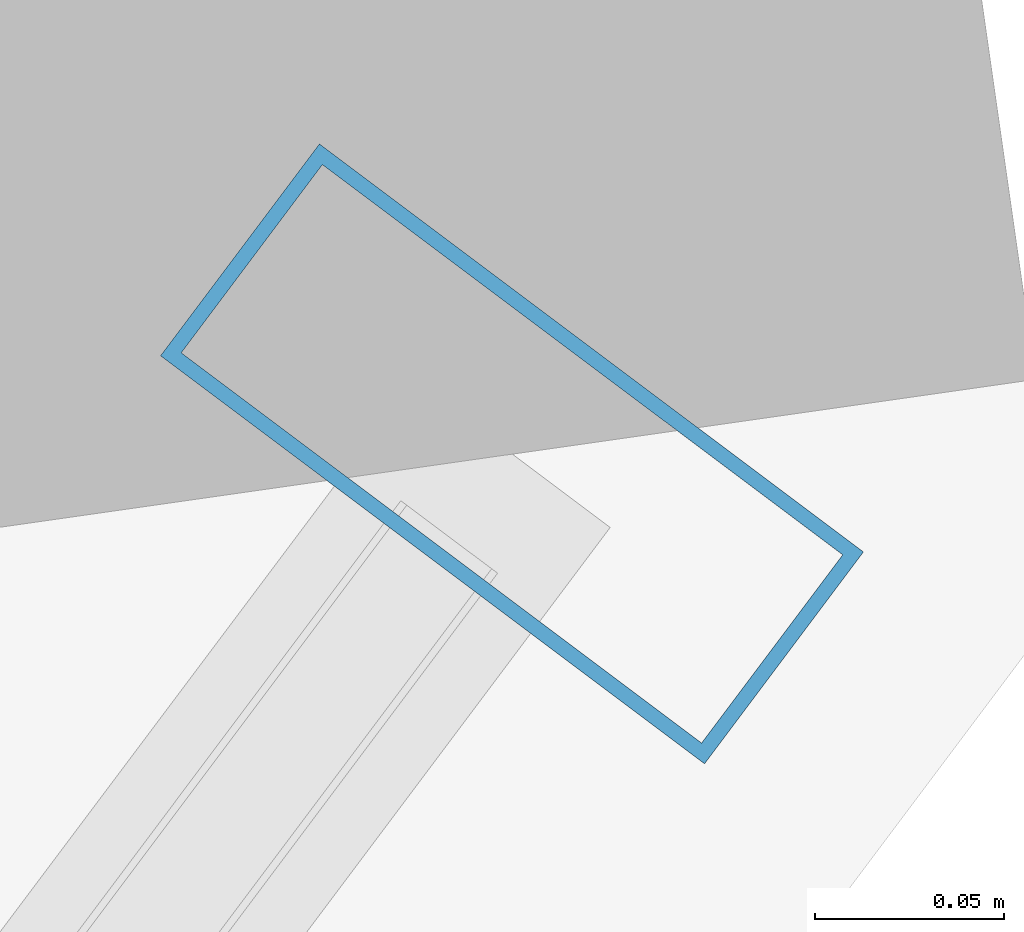
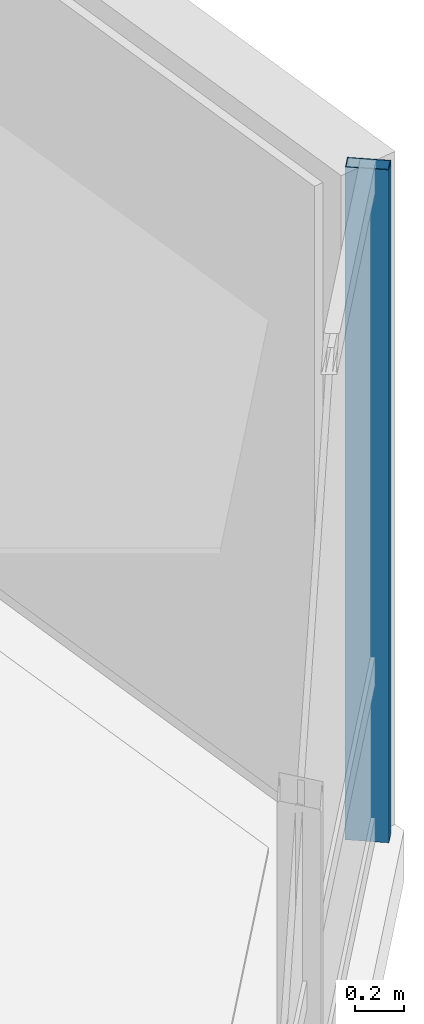
# One storey, part 16 of 28: 1 member, 1 element without a shape of its own.
"""IFC4 building model written with IfcOpenShell, lengths in metres."""

from ifc_helpers import new_model, si_unit, direction, frame, origin, origin_2d, place, context, subcontext, project, spatial, hollow_rectangle, extrude, material, layer, layer_set, material_profile, profile_set, type_object, element, aggregate, save


model = new_model("IFC4")

# Units and contexts
model_context = context("Model", 3, precision=1e-05, world=origin(), true_north=direction((0.0, 1.0)))
body_context = subcontext(model_context, "Body", "Model", "MODEL_VIEW")
ifc_project = project(units=[si_unit("LENGTHUNIT", "METRE"), si_unit("AREAUNIT", "SQUARE_METRE"), si_unit("VOLUMEUNIT", "CUBIC_METRE"), si_unit("PLANEANGLEUNIT", "RADIAN"), si_unit("MASSUNIT", "GRAM", prefix="KILO")], contexts=[model_context])

# Site, building, storey
site_placement = place(None, origin())
site = spatial("IfcSite", under=ifc_project, at=site_placement, CompositionType="ELEMENT")
building_placement = place(site_placement, origin())
building = spatial("IfcBuilding", under=site, at=building_placement, Name="Hatsunagi Terrace Concourse", CompositionType="ELEMENT")
storey_placement = place(building_placement, frame((0.0, 0.0, 138.449951171875)))
storey = spatial("IfcBuildingStorey", under=building, at=storey_placement, Name="L36", CompositionType="ELEMENT", Elevation=138.449951171875)

# Curtain wall, member
ifc_material_1 = material(Name="Anodised Aluminium Alloy 6063-T5", Category="aluminium")
ifc_layer = layer(ifc_material_1, 0.199951171875)
ifc_layer_set = layer_set([ifc_layer], Name="OfficeZone1_CW03")
curtain_wall_type = type_object("IfcCurtainWallType", Name="OfficeZone1_CW03", PredefinedType="NOTDEFINED", material=ifc_layer_set)
curtain_wall_placement = place(storey_placement, origin())
curtain_wall = element("IfcCurtainWall", 1, at=curtain_wall_placement, inside=storey, type_object=curtain_wall_type, Name="Unitised Curtain Wall CW-03 CW-L36-03", PredefinedType="NOTDEFINED")
ifc_material_2 = material(Name="Anodised Aluminium Alloy 6063-T5", Category="aluminium")
ifc_material_profile = material_profile(ifc_material_2, hollow_rectangle(XDim=0.070068359375, YDim=0.179931640625, WallThickness=0.00390625, at=origin_2d()), Name="ALU-MUL-180x70x4")
ifc_profile_set = profile_set([ifc_material_profile], Name="Anodised Aluminium Alloy 6063-T5")
member_type = type_object("IfcMemberType", Name="CurtainWallMullion_180x70", PredefinedType="MULLION", material=ifc_profile_set)
member_placement = place(storey_placement, frame((60.693115234375, 25.9580078125, 0.0), z_axis=(0.0, 0.0, 1.0), x_axis=(-0.599969314634, -0.800023013105, 0.0)))
member = element("IfcMember", 2, at=member_placement, type_object=member_type, Name="Curtain Wall Mullion MUL-02", PredefinedType="MULLION", context=body_context, shape_type="SweptSolid", body=[
    extrude(hollow_rectangle(XDim=0.070068359375, YDim=0.179931640625, WallThickness=0.00390625, at=origin_2d()), origin(), (0.0, 0.0, 1.0), 3.35009765625),
])
aggregate(curtain_wall, [member])

save(model, "model.ifc")
